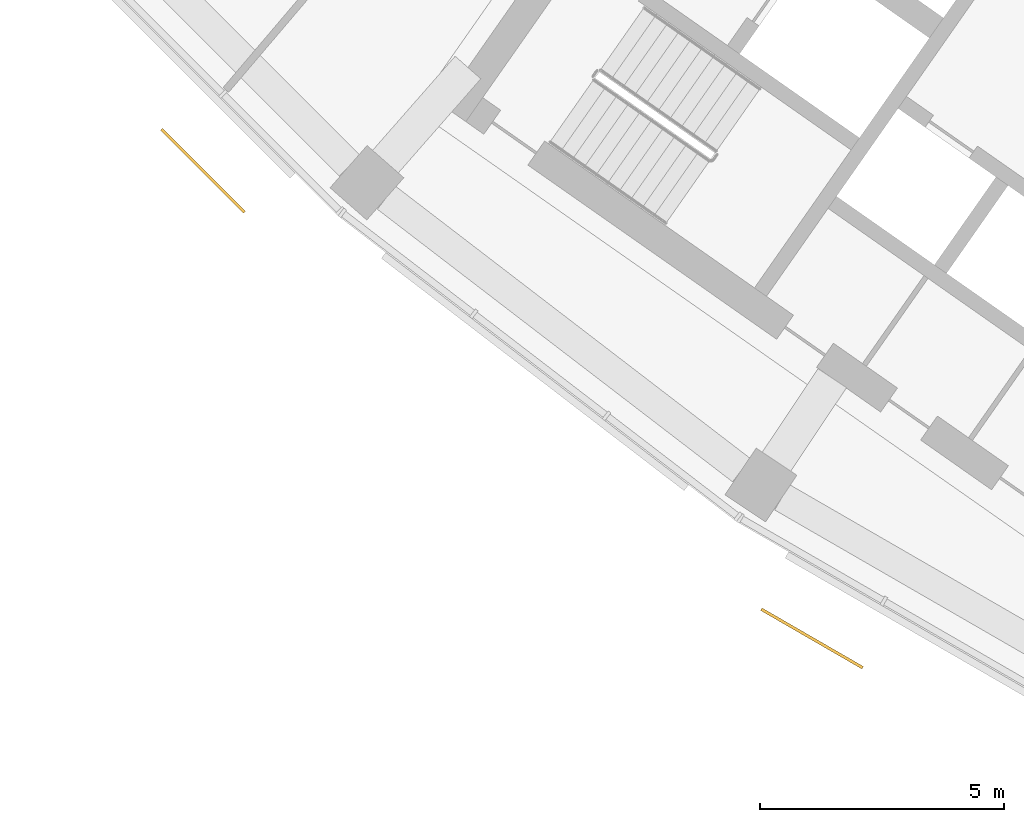
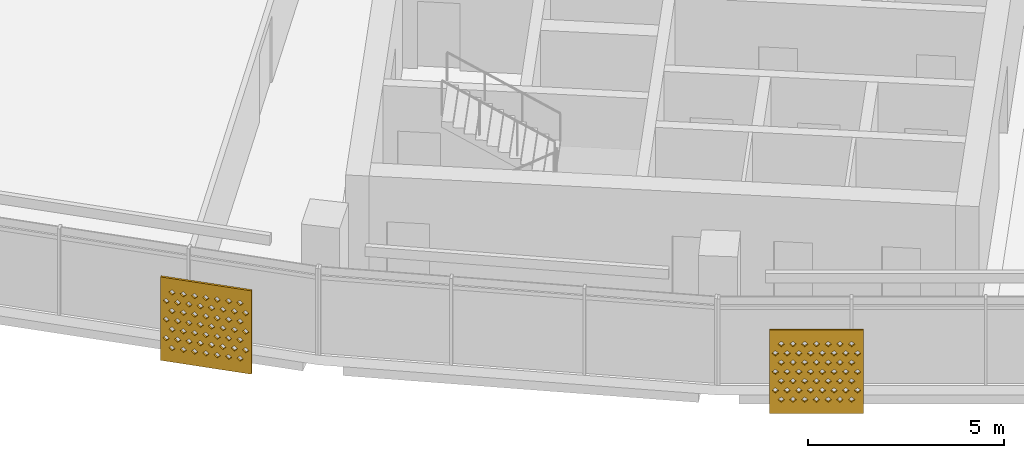
# One storey, part 22 of 28: 2 shading devices.
"""IFC4 building model written with IfcOpenShell, lengths in metres."""

import ifcopenshell
import ifcopenshell.guid

model = None  # the IFC model being written
_history = None  # IfcOwnerHistory: only IFC2X3 demands one
_inside = {}  # id of a spatial element -> (the spatial element, [elements in it])
_under = {}  # id of a project, library or spatial element -> (it, [spatial elements below it])
_declared = {}  # id of a project -> (the project, [libraries it declares])
_typed = {}  # id of a type object -> (the type object, [elements of that type])
_made_of = {}  # id of a material, layer set ... -> (it, [elements and type objects made of it])


def new_model(schema):
    """Start an empty IFC model of exactly this schema.

    Asked for "IFC4X3", IfcOpenShell would pick the latest addendum, in which some entities
    have other attributes; the version numbers below select the first issue.
    IFC2X3 requires an IfcOwnerHistory on every rooted entity: one is made here for all.
    """
    global model, _history
    if schema == "IFC4X3":
        model = ifcopenshell.file(schema_version=(4, 3, 0, 0))
    else:
        model = ifcopenshell.file(schema=schema)
    _inside.clear()
    _under.clear()
    _declared.clear()
    _typed.clear()
    _made_of.clear()
    _history = None
    if model.schema == "IFC2X3":
        org = make("IfcOrganization", Name="unknown")
        user = make(
            "IfcPersonAndOrganization",
            ThePerson=make("IfcPerson", FamilyName="unknown"),
            TheOrganization=org,
        )
        app = make(
            "IfcApplication",
            ApplicationDeveloper=org,
            Version="unknown",
            ApplicationFullName="unknown",
            ApplicationIdentifier="unknown",
        )
        _history = make(
            "IfcOwnerHistory",
            OwningUser=user,
            OwningApplication=app,
            ChangeAction="ADDED",
            CreationDate=0,
        )
    return model


def make(cls, **values):
    """One entity of the class cls with the attributes given. An attribute that is None is left unset."""
    return model.create_entity(
        cls, **{name: value for name, value in values.items() if value is not None}
    )


def rooted(cls, **values):
    """An entity with a GlobalId (a new one), such as an element, a storey or a relation."""
    return make(cls, GlobalId=ifcopenshell.guid.new(), OwnerHistory=_history, **values)


def si_unit(unit_type, name, prefix=None):
    """IfcSIUnit, for example si_unit("LENGTHUNIT", "METRE", prefix="MILLI")."""
    return make("IfcSIUnit", UnitType=unit_type, Prefix=prefix, Name=name)


def assignment(units):
    """IfcUnitAssignment: the units of a project."""
    return None if units is None else make("IfcUnitAssignment", Units=units)


def point(xyz):
    """IfcCartesianPoint."""
    return None if xyz is None else make("IfcCartesianPoint", Coordinates=xyz)


def direction(xyz):
    """IfcDirection."""
    return None if xyz is None else make("IfcDirection", DirectionRatios=xyz)


def frame(location, z_axis=None, x_axis=None):
    """IfcAxis2Placement3D, a coordinate frame: its origin and axes. An axis left out is left unset."""
    return make(
        "IfcAxis2Placement3D",
        Location=point(location),
        Axis=direction(z_axis),
        RefDirection=direction(x_axis),
    )


def origin():
    """The frame at (0, 0, 0) with its axes left unset."""
    return frame((0.0, 0.0, 0.0))


def place(relative_to, where):
    """IfcLocalPlacement: puts the frame where relative to a parent placement (None: the world)."""
    return make(
        "IfcLocalPlacement", PlacementRelTo=relative_to, RelativePlacement=where
    )


def context(
    kind, dimensions, precision=None, world=None, true_north=None, identifier=None
):
    """IfcGeometricRepresentationContext, for example the 3D "Model" context."""
    return make(
        "IfcGeometricRepresentationContext",
        ContextIdentifier=identifier,
        ContextType=kind,
        CoordinateSpaceDimension=dimensions,
        Precision=precision,
        WorldCoordinateSystem=world,
        TrueNorth=true_north,
    )


def subcontext(parent, identifier, kind, view, scale=None):
    """IfcGeometricRepresentationSubContext, for example "Body" below "Model"."""
    return make(
        "IfcGeometricRepresentationSubContext",
        ContextIdentifier=identifier,
        ContextType=kind,
        ParentContext=parent,
        TargetScale=scale,
        TargetView=view,
    )


def project(units=None, contexts=None):
    """IfcProject with its units and contexts."""
    return rooted(
        "IfcProject",
        Name="project",
        RepresentationContexts=contexts,
        UnitsInContext=assignment(units),
    )


def spatial(cls, under=None, at=None, **own):
    """A site, building, storey or space (cls), placed at a placement, below another one or the project."""
    s = rooted(cls, ObjectPlacement=at, **own)
    if under is not None:
        _under.setdefault(under.id(), (under, []))[1].append(s)
    return s


def polyline(points):
    """IfcPolyline through the points."""
    return make("IfcPolyline", Points=[point(p) for p in points])


def outline(outer, holes=None, kind="AREA"):
    """IfcArbitraryClosedProfileDef: a profile drawn as a closed curve; with holes, ...WithVoids."""
    if holes is None:
        return make("IfcArbitraryClosedProfileDef", ProfileType=kind, OuterCurve=outer)
    return make(
        "IfcArbitraryProfileDefWithVoids",
        ProfileType=kind,
        OuterCurve=outer,
        InnerCurves=holes,
    )


def extrude(swept, where, along, depth):
    """IfcExtrudedAreaSolid: the profile swept, set in the frame where, extruded along a direction by depth."""
    return make(
        "IfcExtrudedAreaSolid",
        SweptArea=swept,
        Position=where,
        ExtrudedDirection=direction(along),
        Depth=depth,
    )


def shape(context_of_items, identifier, shape_type, items):
    """IfcShapeRepresentation: the items that make up one representation, for example the "Body"."""
    return make(
        "IfcShapeRepresentation",
        ContextOfItems=context_of_items,
        RepresentationIdentifier=identifier,
        RepresentationType=shape_type,
        Items=items,
    )


def material(Name=None, Category=None):
    """IfcMaterial."""
    return make("IfcMaterial", Name=Name, Category=Category)


def material_profile(
    of_material, cross_section, Name=None, Category=None, Priority=None
):
    """IfcMaterialProfile: a cross section and its material."""
    return make(
        "IfcMaterialProfile",
        Name=Name,
        Material=of_material,
        Profile=cross_section,
        Priority=Priority,
        Category=Category,
    )


def profile_set(profiles, Name=None, composite=None):
    """IfcMaterialProfileSet."""
    return make(
        "IfcMaterialProfileSet",
        Name=Name,
        MaterialProfiles=profiles,
        CompositeProfile=composite,
    )


def made_of(thing, what):
    """Note that an element or type object is made of a material, layer set ...; save() writes the relation."""
    if what is not None:
        _made_of.setdefault(what.id(), (what, []))[1].append(thing)
    return thing


def type_object(cls, material=None, **own):
    """A type object (cls), such as IfcWallType, which elements share."""
    return made_of(rooted(cls, **own), material)


def element(
    cls,
    number,
    at=None,
    inside=None,
    cuts=None,
    type_object=None,
    material=None,
    context=None,
    identifier="Body",
    shape_type=None,
    held_by="IfcProductDefinitionShape",
    body=None,
    shapes=None,
    **own,
):
    """One element of the class cls, such as IfcWall. Its Tag is "e" and its number.

    at: its placement. inside: the storey or other place that contains it. cuts: it is an
    opening in that element (IfcRelVoidsElement). A single representation is given by context,
    identifier, shape_type and body (its items); several are given by shapes. held_by: the class
    of the entity that holds the representations. save() writes the other relations.
    """
    e = rooted(cls, Tag="e%d" % number, ObjectPlacement=at, **own)
    if body is not None:
        shapes = [shape(context, identifier, shape_type, body)]
    if shapes is not None:
        e.Representation = make(held_by, Representations=shapes)
    if inside is not None:
        _inside.setdefault(inside.id(), (inside, []))[1].append(e)
    if cuts is not None:
        rooted(
            "IfcRelVoidsElement", RelatingBuildingElement=cuts, RelatedOpeningElement=e
        )
    if type_object is not None:
        _typed.setdefault(type_object.id(), (type_object, []))[1].append(e)
    return made_of(e, material)


def aggregate(whole, parts):
    """IfcRelAggregates: a whole, such as a stair, and the parts it consists of."""
    return rooted("IfcRelAggregates", RelatingObject=whole, RelatedObjects=parts)


def save(model, path):
    """Write the relations noted so far, then the file.

    IfcRelAggregates (storeys below a building ...), IfcRelContainedInSpatialStructure (elements
    in a storey), IfcRelDefinesByType, IfcRelAssociatesMaterial and IfcRelDeclares: one each for
    every whole, place, type object, material and project.
    """
    for whole, parts in _under.values():
        aggregate(whole, parts)
    for where, things in _inside.values():
        rooted(
            "IfcRelContainedInSpatialStructure",
            RelatedElements=things,
            RelatingStructure=where,
        )
    for kind, things in _typed.values():
        rooted("IfcRelDefinesByType", RelatedObjects=things, RelatingType=kind)
    for what, things in _made_of.values():
        rooted("IfcRelAssociatesMaterial", RelatedObjects=things, RelatingMaterial=what)
    for by, libraries in _declared.values():
        rooted("IfcRelDeclares", RelatingContext=by, RelatedDefinitions=libraries)
    model.write(path)


model = new_model("IFC4")

# Units and contexts
model_context = context("Model", 3, precision=1e-05, world=origin(), true_north=direction((0.0, 1.0)))
body_context = subcontext(model_context, "Body", "Model", "MODEL_VIEW")
ifc_project = project(units=[si_unit("LENGTHUNIT", "METRE"), si_unit("AREAUNIT", "SQUARE_METRE"), si_unit("VOLUMEUNIT", "CUBIC_METRE"), si_unit("PLANEANGLEUNIT", "RADIAN"), si_unit("MASSUNIT", "GRAM", prefix="KILO")], contexts=[model_context])

# Site, building, storey
site_placement = place(None, origin())
site = spatial("IfcSite", under=ifc_project, at=site_placement, CompositionType="ELEMENT")
building_placement = place(site_placement, origin())
building = spatial("IfcBuilding", under=site, at=building_placement, Name="Qamariyya Broadcast Tower", CompositionType="ELEMENT")
storey_placement = place(building_placement, frame((0.0, 0.0, 245.5)))
storey = spatial("IfcBuildingStorey", under=building, at=storey_placement, Name="L59", CompositionType="ELEMENT", Elevation=245.5)

# Shading devices
ifc_material = material(Name="Perforated glazed terracotta", Category="masonry")
ifc_material_profile = material_profile(ifc_material, outline(polyline([(-1.199951171875, -1.300048828125), (1.199951171875, -1.300048828125), (1.199951171875, 1.300048828125), (-1.199951171875, 1.300048828125), (-1.199951171875, -1.300048828125)]), holes=[polyline([(-0.81494140625, -0.86669921875), (-0.89990234375, -0.78173828125), (-0.985107421875, -0.86669921875), (-0.89990234375, -0.95166015625), (-0.81494140625, -0.86669921875)]), polyline([(-0.514892578125, -0.86669921875), (-0.60009765625, -0.78173828125), (-0.68505859375, -0.86669921875), (-0.60009765625, -0.95166015625), (-0.514892578125, -0.86669921875)]), polyline([(-0.215087890625, -0.86669921875), (-0.300048828125, -0.78173828125), (-0.385009765625, -0.86669921875), (-0.300048828125, -0.95166015625), (-0.215087890625, -0.86669921875)]), polyline([(0.0849609375, -0.86669921875), (0.0, -0.78173828125), (-0.0849609375, -0.86669921875), (0.0, -0.95166015625), (0.0849609375, -0.86669921875)]), polyline([(0.385009765625, -0.86669921875), (0.300048828125, -0.78173828125), (0.215087890625, -0.86669921875), (0.300048828125, -0.95166015625), (0.385009765625, -0.86669921875)]), polyline([(0.68505859375, -0.86669921875), (0.60009765625, -0.78173828125), (0.514892578125, -0.86669921875), (0.60009765625, -0.95166015625), (0.68505859375, -0.86669921875)]), polyline([(0.985107421875, -0.86669921875), (0.89990234375, -0.78173828125), (0.81494140625, -0.86669921875), (0.89990234375, -0.95166015625), (0.985107421875, -0.86669921875)]), polyline([(-0.965087890625, -0.577880859375), (-1.050048828125, -0.49267578125), (-1.135009765625, -0.577880859375), (-1.050048828125, -0.662841796875), (-0.965087890625, -0.577880859375)]), polyline([(-0.6650390625, -0.577880859375), (-0.75, -0.49267578125), (-0.8349609375, -0.577880859375), (-0.75, -0.662841796875), (-0.6650390625, -0.577880859375)]), polyline([(-0.364990234375, -0.577880859375), (-0.449951171875, -0.49267578125), (-0.534912109375, -0.577880859375), (-0.449951171875, -0.662841796875), (-0.364990234375, -0.577880859375)]), polyline([(-0.06494140625, -0.577880859375), (-0.14990234375, -0.49267578125), (-0.235107421875, -0.577880859375), (-0.14990234375, -0.662841796875), (-0.06494140625, -0.577880859375)]), polyline([(0.235107421875, -0.577880859375), (0.14990234375, -0.49267578125), (0.06494140625, -0.577880859375), (0.14990234375, -0.662841796875), (0.235107421875, -0.577880859375)]), polyline([(0.534912109375, -0.577880859375), (0.449951171875, -0.49267578125), (0.364990234375, -0.577880859375), (0.449951171875, -0.662841796875), (0.534912109375, -0.577880859375)]), polyline([(0.8349609375, -0.577880859375), (0.75, -0.49267578125), (0.6650390625, -0.577880859375), (0.75, -0.662841796875), (0.8349609375, -0.577880859375)]), polyline([(1.135009765625, -0.577880859375), (1.050048828125, -0.49267578125), (0.965087890625, -0.577880859375), (1.050048828125, -0.662841796875), (1.135009765625, -0.577880859375)]), polyline([(-0.81494140625, -0.288818359375), (-0.89990234375, -0.203857421875), (-0.985107421875, -0.288818359375), (-0.89990234375, -0.373779296875), (-0.81494140625, -0.288818359375)]), polyline([(-0.514892578125, -0.288818359375), (-0.60009765625, -0.203857421875), (-0.68505859375, -0.288818359375), (-0.60009765625, -0.373779296875), (-0.514892578125, -0.288818359375)]), polyline([(-0.215087890625, -0.288818359375), (-0.300048828125, -0.203857421875), (-0.385009765625, -0.288818359375), (-0.300048828125, -0.373779296875), (-0.215087890625, -0.288818359375)]), polyline([(0.0849609375, -0.288818359375), (0.0, -0.203857421875), (-0.0849609375, -0.288818359375), (0.0, -0.373779296875), (0.0849609375, -0.288818359375)]), polyline([(0.385009765625, -0.288818359375), (0.300048828125, -0.203857421875), (0.215087890625, -0.288818359375), (0.300048828125, -0.373779296875), (0.385009765625, -0.288818359375)]), polyline([(0.68505859375, -0.288818359375), (0.60009765625, -0.203857421875), (0.514892578125, -0.288818359375), (0.60009765625, -0.373779296875), (0.68505859375, -0.288818359375)]), polyline([(0.985107421875, -0.288818359375), (0.89990234375, -0.203857421875), (0.81494140625, -0.288818359375), (0.89990234375, -0.373779296875), (0.985107421875, -0.288818359375)]), polyline([(-0.965087890625, 0.0), (-1.050048828125, 0.0849609375), (-1.135009765625, 0.0), (-1.050048828125, -0.0849609375), (-0.965087890625, 0.0)]), polyline([(-0.6650390625, 0.0), (-0.75, 0.0849609375), (-0.8349609375, 0.0), (-0.75, -0.0849609375), (-0.6650390625, 0.0)]), polyline([(-0.364990234375, 0.0), (-0.449951171875, 0.0849609375), (-0.534912109375, 0.0), (-0.449951171875, -0.0849609375), (-0.364990234375, 0.0)]), polyline([(-0.06494140625, 0.0), (-0.14990234375, 0.0849609375), (-0.235107421875, 0.0), (-0.14990234375, -0.0849609375), (-0.06494140625, 0.0)]), polyline([(0.235107421875, 0.0), (0.14990234375, 0.0849609375), (0.06494140625, 0.0), (0.14990234375, -0.0849609375), (0.235107421875, 0.0)]), polyline([(0.534912109375, 0.0), (0.449951171875, 0.0849609375), (0.364990234375, 0.0), (0.449951171875, -0.0849609375), (0.534912109375, 0.0)]), polyline([(0.8349609375, 0.0), (0.75, 0.0849609375), (0.6650390625, 0.0), (0.75, -0.0849609375), (0.8349609375, 0.0)]), polyline([(1.135009765625, 0.0), (1.050048828125, 0.0849609375), (0.965087890625, 0.0), (1.050048828125, -0.0849609375), (1.135009765625, 0.0)]), polyline([(-0.81494140625, 0.288818359375), (-0.89990234375, 0.373779296875), (-0.985107421875, 0.288818359375), (-0.89990234375, 0.203857421875), (-0.81494140625, 0.288818359375)]), polyline([(-0.514892578125, 0.288818359375), (-0.60009765625, 0.373779296875), (-0.68505859375, 0.288818359375), (-0.60009765625, 0.203857421875), (-0.514892578125, 0.288818359375)]), polyline([(-0.215087890625, 0.288818359375), (-0.300048828125, 0.373779296875), (-0.385009765625, 0.288818359375), (-0.300048828125, 0.203857421875), (-0.215087890625, 0.288818359375)]), polyline([(0.0849609375, 0.288818359375), (0.0, 0.373779296875), (-0.0849609375, 0.288818359375), (0.0, 0.203857421875), (0.0849609375, 0.288818359375)]), polyline([(0.385009765625, 0.288818359375), (0.300048828125, 0.373779296875), (0.215087890625, 0.288818359375), (0.300048828125, 0.203857421875), (0.385009765625, 0.288818359375)]), polyline([(0.68505859375, 0.288818359375), (0.60009765625, 0.373779296875), (0.514892578125, 0.288818359375), (0.60009765625, 0.203857421875), (0.68505859375, 0.288818359375)]), polyline([(0.985107421875, 0.288818359375), (0.89990234375, 0.373779296875), (0.81494140625, 0.288818359375), (0.89990234375, 0.203857421875), (0.985107421875, 0.288818359375)]), polyline([(-0.965087890625, 0.577880859375), (-1.050048828125, 0.662841796875), (-1.135009765625, 0.577880859375), (-1.050048828125, 0.49267578125), (-0.965087890625, 0.577880859375)]), polyline([(-0.6650390625, 0.577880859375), (-0.75, 0.662841796875), (-0.8349609375, 0.577880859375), (-0.75, 0.49267578125), (-0.6650390625, 0.577880859375)]), polyline([(-0.364990234375, 0.577880859375), (-0.449951171875, 0.662841796875), (-0.534912109375, 0.577880859375), (-0.449951171875, 0.49267578125), (-0.364990234375, 0.577880859375)]), polyline([(-0.06494140625, 0.577880859375), (-0.14990234375, 0.662841796875), (-0.235107421875, 0.577880859375), (-0.14990234375, 0.49267578125), (-0.06494140625, 0.577880859375)]), polyline([(0.235107421875, 0.577880859375), (0.14990234375, 0.662841796875), (0.06494140625, 0.577880859375), (0.14990234375, 0.49267578125), (0.235107421875, 0.577880859375)]), polyline([(0.534912109375, 0.577880859375), (0.449951171875, 0.662841796875), (0.364990234375, 0.577880859375), (0.449951171875, 0.49267578125), (0.534912109375, 0.577880859375)]), polyline([(0.8349609375, 0.577880859375), (0.75, 0.662841796875), (0.6650390625, 0.577880859375), (0.75, 0.49267578125), (0.8349609375, 0.577880859375)]), polyline([(1.135009765625, 0.577880859375), (1.050048828125, 0.662841796875), (0.965087890625, 0.577880859375), (1.050048828125, 0.49267578125), (1.135009765625, 0.577880859375)]), polyline([(-0.81494140625, 0.86669921875), (-0.89990234375, 0.95166015625), (-0.985107421875, 0.86669921875), (-0.89990234375, 0.78173828125), (-0.81494140625, 0.86669921875)]), polyline([(-0.514892578125, 0.86669921875), (-0.60009765625, 0.95166015625), (-0.68505859375, 0.86669921875), (-0.60009765625, 0.78173828125), (-0.514892578125, 0.86669921875)]), polyline([(-0.215087890625, 0.86669921875), (-0.300048828125, 0.95166015625), (-0.385009765625, 0.86669921875), (-0.300048828125, 0.78173828125), (-0.215087890625, 0.86669921875)]), polyline([(0.0849609375, 0.86669921875), (0.0, 0.95166015625), (-0.0849609375, 0.86669921875), (0.0, 0.78173828125), (0.0849609375, 0.86669921875)]), polyline([(0.385009765625, 0.86669921875), (0.300048828125, 0.95166015625), (0.215087890625, 0.86669921875), (0.300048828125, 0.78173828125), (0.385009765625, 0.86669921875)]), polyline([(0.68505859375, 0.86669921875), (0.60009765625, 0.95166015625), (0.514892578125, 0.86669921875), (0.60009765625, 0.78173828125), (0.68505859375, 0.86669921875)]), polyline([(0.985107421875, 0.86669921875), (0.89990234375, 0.95166015625), (0.81494140625, 0.86669921875), (0.89990234375, 0.78173828125), (0.985107421875, 0.86669921875)])]))
ifc_profile_set = profile_set([ifc_material_profile], Name="Perforated glazed terracotta")
shading_device_type = type_object("IfcShadingDeviceType", Name="Perforated terracotta screen 2400 x 2600", PredefinedType="USERDEFINED", material=ifc_profile_set)
shading_device_1_placement = place(storey_placement, frame((-54.599609375, -58.18603515625, 1.35009765625), z_axis=(-0.707106781187, -0.707106781187, 0.0), x_axis=(0.707106781187, -0.707106781187, 0.0)))
element("IfcShadingDevice", 1, at=shading_device_1_placement, inside=storey, type_object=shading_device_type, Name="e-scr-L59-02-2", ObjectType="SCREEN", PredefinedType="USERDEFINED", context=body_context, shape_type="SweptSolid", body=[
    extrude(outline(polyline([(-1.199951171875, -1.300048828125), (1.199951171875, -1.300048828125), (1.199951171875, 1.300048828125), (-1.199951171875, 1.300048828125), (-1.199951171875, -1.300048828125)]), holes=[polyline([(-0.81494140625, -0.86669921875), (-0.89990234375, -0.78173828125), (-0.985107421875, -0.86669921875), (-0.89990234375, -0.95166015625), (-0.81494140625, -0.86669921875)]), polyline([(-0.514892578125, -0.86669921875), (-0.60009765625, -0.78173828125), (-0.68505859375, -0.86669921875), (-0.60009765625, -0.95166015625), (-0.514892578125, -0.86669921875)]), polyline([(-0.215087890625, -0.86669921875), (-0.300048828125, -0.78173828125), (-0.385009765625, -0.86669921875), (-0.300048828125, -0.95166015625), (-0.215087890625, -0.86669921875)]), polyline([(0.0849609375, -0.86669921875), (0.0, -0.78173828125), (-0.0849609375, -0.86669921875), (0.0, -0.95166015625), (0.0849609375, -0.86669921875)]), polyline([(0.385009765625, -0.86669921875), (0.300048828125, -0.78173828125), (0.215087890625, -0.86669921875), (0.300048828125, -0.95166015625), (0.385009765625, -0.86669921875)]), polyline([(0.68505859375, -0.86669921875), (0.60009765625, -0.78173828125), (0.514892578125, -0.86669921875), (0.60009765625, -0.95166015625), (0.68505859375, -0.86669921875)]), polyline([(0.985107421875, -0.86669921875), (0.89990234375, -0.78173828125), (0.81494140625, -0.86669921875), (0.89990234375, -0.95166015625), (0.985107421875, -0.86669921875)]), polyline([(-0.965087890625, -0.577880859375), (-1.050048828125, -0.49267578125), (-1.135009765625, -0.577880859375), (-1.050048828125, -0.662841796875), (-0.965087890625, -0.577880859375)]), polyline([(-0.6650390625, -0.577880859375), (-0.75, -0.49267578125), (-0.8349609375, -0.577880859375), (-0.75, -0.662841796875), (-0.6650390625, -0.577880859375)]), polyline([(-0.364990234375, -0.577880859375), (-0.449951171875, -0.49267578125), (-0.534912109375, -0.577880859375), (-0.449951171875, -0.662841796875), (-0.364990234375, -0.577880859375)]), polyline([(-0.06494140625, -0.577880859375), (-0.14990234375, -0.49267578125), (-0.235107421875, -0.577880859375), (-0.14990234375, -0.662841796875), (-0.06494140625, -0.577880859375)]), polyline([(0.235107421875, -0.577880859375), (0.14990234375, -0.49267578125), (0.06494140625, -0.577880859375), (0.14990234375, -0.662841796875), (0.235107421875, -0.577880859375)]), polyline([(0.534912109375, -0.577880859375), (0.449951171875, -0.49267578125), (0.364990234375, -0.577880859375), (0.449951171875, -0.662841796875), (0.534912109375, -0.577880859375)]), polyline([(0.8349609375, -0.577880859375), (0.75, -0.49267578125), (0.6650390625, -0.577880859375), (0.75, -0.662841796875), (0.8349609375, -0.577880859375)]), polyline([(1.135009765625, -0.577880859375), (1.050048828125, -0.49267578125), (0.965087890625, -0.577880859375), (1.050048828125, -0.662841796875), (1.135009765625, -0.577880859375)]), polyline([(-0.81494140625, -0.288818359375), (-0.89990234375, -0.203857421875), (-0.985107421875, -0.288818359375), (-0.89990234375, -0.373779296875), (-0.81494140625, -0.288818359375)]), polyline([(-0.514892578125, -0.288818359375), (-0.60009765625, -0.203857421875), (-0.68505859375, -0.288818359375), (-0.60009765625, -0.373779296875), (-0.514892578125, -0.288818359375)]), polyline([(-0.215087890625, -0.288818359375), (-0.300048828125, -0.203857421875), (-0.385009765625, -0.288818359375), (-0.300048828125, -0.373779296875), (-0.215087890625, -0.288818359375)]), polyline([(0.0849609375, -0.288818359375), (0.0, -0.203857421875), (-0.0849609375, -0.288818359375), (0.0, -0.373779296875), (0.0849609375, -0.288818359375)]), polyline([(0.385009765625, -0.288818359375), (0.300048828125, -0.203857421875), (0.215087890625, -0.288818359375), (0.300048828125, -0.373779296875), (0.385009765625, -0.288818359375)]), polyline([(0.68505859375, -0.288818359375), (0.60009765625, -0.203857421875), (0.514892578125, -0.288818359375), (0.60009765625, -0.373779296875), (0.68505859375, -0.288818359375)]), polyline([(0.985107421875, -0.288818359375), (0.89990234375, -0.203857421875), (0.81494140625, -0.288818359375), (0.89990234375, -0.373779296875), (0.985107421875, -0.288818359375)]), polyline([(-0.965087890625, 0.0), (-1.050048828125, 0.0849609375), (-1.135009765625, 0.0), (-1.050048828125, -0.0849609375), (-0.965087890625, 0.0)]), polyline([(-0.6650390625, 0.0), (-0.75, 0.0849609375), (-0.8349609375, 0.0), (-0.75, -0.0849609375), (-0.6650390625, 0.0)]), polyline([(-0.364990234375, 0.0), (-0.449951171875, 0.0849609375), (-0.534912109375, 0.0), (-0.449951171875, -0.0849609375), (-0.364990234375, 0.0)]), polyline([(-0.06494140625, 0.0), (-0.14990234375, 0.0849609375), (-0.235107421875, 0.0), (-0.14990234375, -0.0849609375), (-0.06494140625, 0.0)]), polyline([(0.235107421875, 0.0), (0.14990234375, 0.0849609375), (0.06494140625, 0.0), (0.14990234375, -0.0849609375), (0.235107421875, 0.0)]), polyline([(0.534912109375, 0.0), (0.449951171875, 0.0849609375), (0.364990234375, 0.0), (0.449951171875, -0.0849609375), (0.534912109375, 0.0)]), polyline([(0.8349609375, 0.0), (0.75, 0.0849609375), (0.6650390625, 0.0), (0.75, -0.0849609375), (0.8349609375, 0.0)]), polyline([(1.135009765625, 0.0), (1.050048828125, 0.0849609375), (0.965087890625, 0.0), (1.050048828125, -0.0849609375), (1.135009765625, 0.0)]), polyline([(-0.81494140625, 0.288818359375), (-0.89990234375, 0.373779296875), (-0.985107421875, 0.288818359375), (-0.89990234375, 0.203857421875), (-0.81494140625, 0.288818359375)]), polyline([(-0.514892578125, 0.288818359375), (-0.60009765625, 0.373779296875), (-0.68505859375, 0.288818359375), (-0.60009765625, 0.203857421875), (-0.514892578125, 0.288818359375)]), polyline([(-0.215087890625, 0.288818359375), (-0.300048828125, 0.373779296875), (-0.385009765625, 0.288818359375), (-0.300048828125, 0.203857421875), (-0.215087890625, 0.288818359375)]), polyline([(0.0849609375, 0.288818359375), (0.0, 0.373779296875), (-0.0849609375, 0.288818359375), (0.0, 0.203857421875), (0.0849609375, 0.288818359375)]), polyline([(0.385009765625, 0.288818359375), (0.300048828125, 0.373779296875), (0.215087890625, 0.288818359375), (0.300048828125, 0.203857421875), (0.385009765625, 0.288818359375)]), polyline([(0.68505859375, 0.288818359375), (0.60009765625, 0.373779296875), (0.514892578125, 0.288818359375), (0.60009765625, 0.203857421875), (0.68505859375, 0.288818359375)]), polyline([(0.985107421875, 0.288818359375), (0.89990234375, 0.373779296875), (0.81494140625, 0.288818359375), (0.89990234375, 0.203857421875), (0.985107421875, 0.288818359375)]), polyline([(-0.965087890625, 0.577880859375), (-1.050048828125, 0.662841796875), (-1.135009765625, 0.577880859375), (-1.050048828125, 0.49267578125), (-0.965087890625, 0.577880859375)]), polyline([(-0.6650390625, 0.577880859375), (-0.75, 0.662841796875), (-0.8349609375, 0.577880859375), (-0.75, 0.49267578125), (-0.6650390625, 0.577880859375)]), polyline([(-0.364990234375, 0.577880859375), (-0.449951171875, 0.662841796875), (-0.534912109375, 0.577880859375), (-0.449951171875, 0.49267578125), (-0.364990234375, 0.577880859375)]), polyline([(-0.06494140625, 0.577880859375), (-0.14990234375, 0.662841796875), (-0.235107421875, 0.577880859375), (-0.14990234375, 0.49267578125), (-0.06494140625, 0.577880859375)]), polyline([(0.235107421875, 0.577880859375), (0.14990234375, 0.662841796875), (0.06494140625, 0.577880859375), (0.14990234375, 0.49267578125), (0.235107421875, 0.577880859375)]), polyline([(0.534912109375, 0.577880859375), (0.449951171875, 0.662841796875), (0.364990234375, 0.577880859375), (0.449951171875, 0.49267578125), (0.534912109375, 0.577880859375)]), polyline([(0.8349609375, 0.577880859375), (0.75, 0.662841796875), (0.6650390625, 0.577880859375), (0.75, 0.49267578125), (0.8349609375, 0.577880859375)]), polyline([(1.135009765625, 0.577880859375), (1.050048828125, 0.662841796875), (0.965087890625, 0.577880859375), (1.050048828125, 0.49267578125), (1.135009765625, 0.577880859375)]), polyline([(-0.81494140625, 0.86669921875), (-0.89990234375, 0.95166015625), (-0.985107421875, 0.86669921875), (-0.89990234375, 0.78173828125), (-0.81494140625, 0.86669921875)]), polyline([(-0.514892578125, 0.86669921875), (-0.60009765625, 0.95166015625), (-0.68505859375, 0.86669921875), (-0.60009765625, 0.78173828125), (-0.514892578125, 0.86669921875)]), polyline([(-0.215087890625, 0.86669921875), (-0.300048828125, 0.95166015625), (-0.385009765625, 0.86669921875), (-0.300048828125, 0.78173828125), (-0.215087890625, 0.86669921875)]), polyline([(0.0849609375, 0.86669921875), (0.0, 0.95166015625), (-0.0849609375, 0.86669921875), (0.0, 0.78173828125), (0.0849609375, 0.86669921875)]), polyline([(0.385009765625, 0.86669921875), (0.300048828125, 0.95166015625), (0.215087890625, 0.86669921875), (0.300048828125, 0.78173828125), (0.385009765625, 0.86669921875)]), polyline([(0.68505859375, 0.86669921875), (0.60009765625, 0.95166015625), (0.514892578125, 0.86669921875), (0.60009765625, 0.78173828125), (0.68505859375, 0.86669921875)]), polyline([(0.985107421875, 0.86669921875), (0.89990234375, 0.95166015625), (0.81494140625, 0.86669921875), (0.89990234375, 0.78173828125), (0.985107421875, 0.86669921875)])]), origin(), (0.0, 0.0, 1.0), 0.06005859375),
])
shading_device_2_placement = place(storey_placement, frame((-42.13427734375, -67.762939453125, 1.35009765625), z_axis=(-0.500074377092, -0.865982457891, 0.0), x_axis=(0.865982457891, -0.500074377092, 0.0)))
element("IfcShadingDevice", 2, at=shading_device_2_placement, inside=storey, type_object=shading_device_type, Name="e-scr-L59-04-0", ObjectType="SCREEN", PredefinedType="USERDEFINED", context=body_context, shape_type="SweptSolid", body=[
    extrude(outline(polyline([(-1.199951171875, -1.300048828125), (1.199951171875, -1.300048828125), (1.199951171875, 1.300048828125), (-1.199951171875, 1.300048828125), (-1.199951171875, -1.300048828125)]), holes=[polyline([(-0.81494140625, -0.86669921875), (-0.89990234375, -0.78173828125), (-0.985107421875, -0.86669921875), (-0.89990234375, -0.95166015625), (-0.81494140625, -0.86669921875)]), polyline([(-0.514892578125, -0.86669921875), (-0.60009765625, -0.78173828125), (-0.68505859375, -0.86669921875), (-0.60009765625, -0.95166015625), (-0.514892578125, -0.86669921875)]), polyline([(-0.215087890625, -0.86669921875), (-0.300048828125, -0.78173828125), (-0.385009765625, -0.86669921875), (-0.300048828125, -0.95166015625), (-0.215087890625, -0.86669921875)]), polyline([(0.0849609375, -0.86669921875), (0.0, -0.78173828125), (-0.0849609375, -0.86669921875), (0.0, -0.95166015625), (0.0849609375, -0.86669921875)]), polyline([(0.385009765625, -0.86669921875), (0.300048828125, -0.78173828125), (0.215087890625, -0.86669921875), (0.300048828125, -0.95166015625), (0.385009765625, -0.86669921875)]), polyline([(0.68505859375, -0.86669921875), (0.60009765625, -0.78173828125), (0.514892578125, -0.86669921875), (0.60009765625, -0.95166015625), (0.68505859375, -0.86669921875)]), polyline([(0.985107421875, -0.86669921875), (0.89990234375, -0.78173828125), (0.81494140625, -0.86669921875), (0.89990234375, -0.95166015625), (0.985107421875, -0.86669921875)]), polyline([(-0.965087890625, -0.577880859375), (-1.050048828125, -0.49267578125), (-1.135009765625, -0.577880859375), (-1.050048828125, -0.662841796875), (-0.965087890625, -0.577880859375)]), polyline([(-0.6650390625, -0.577880859375), (-0.75, -0.49267578125), (-0.8349609375, -0.577880859375), (-0.75, -0.662841796875), (-0.6650390625, -0.577880859375)]), polyline([(-0.364990234375, -0.577880859375), (-0.449951171875, -0.49267578125), (-0.534912109375, -0.577880859375), (-0.449951171875, -0.662841796875), (-0.364990234375, -0.577880859375)]), polyline([(-0.06494140625, -0.577880859375), (-0.14990234375, -0.49267578125), (-0.235107421875, -0.577880859375), (-0.14990234375, -0.662841796875), (-0.06494140625, -0.577880859375)]), polyline([(0.235107421875, -0.577880859375), (0.14990234375, -0.49267578125), (0.06494140625, -0.577880859375), (0.14990234375, -0.662841796875), (0.235107421875, -0.577880859375)]), polyline([(0.534912109375, -0.577880859375), (0.449951171875, -0.49267578125), (0.364990234375, -0.577880859375), (0.449951171875, -0.662841796875), (0.534912109375, -0.577880859375)]), polyline([(0.8349609375, -0.577880859375), (0.75, -0.49267578125), (0.6650390625, -0.577880859375), (0.75, -0.662841796875), (0.8349609375, -0.577880859375)]), polyline([(1.135009765625, -0.577880859375), (1.050048828125, -0.49267578125), (0.965087890625, -0.577880859375), (1.050048828125, -0.662841796875), (1.135009765625, -0.577880859375)]), polyline([(-0.81494140625, -0.288818359375), (-0.89990234375, -0.203857421875), (-0.985107421875, -0.288818359375), (-0.89990234375, -0.373779296875), (-0.81494140625, -0.288818359375)]), polyline([(-0.514892578125, -0.288818359375), (-0.60009765625, -0.203857421875), (-0.68505859375, -0.288818359375), (-0.60009765625, -0.373779296875), (-0.514892578125, -0.288818359375)]), polyline([(-0.215087890625, -0.288818359375), (-0.300048828125, -0.203857421875), (-0.385009765625, -0.288818359375), (-0.300048828125, -0.373779296875), (-0.215087890625, -0.288818359375)]), polyline([(0.0849609375, -0.288818359375), (0.0, -0.203857421875), (-0.0849609375, -0.288818359375), (0.0, -0.373779296875), (0.0849609375, -0.288818359375)]), polyline([(0.385009765625, -0.288818359375), (0.300048828125, -0.203857421875), (0.215087890625, -0.288818359375), (0.300048828125, -0.373779296875), (0.385009765625, -0.288818359375)]), polyline([(0.68505859375, -0.288818359375), (0.60009765625, -0.203857421875), (0.514892578125, -0.288818359375), (0.60009765625, -0.373779296875), (0.68505859375, -0.288818359375)]), polyline([(0.985107421875, -0.288818359375), (0.89990234375, -0.203857421875), (0.81494140625, -0.288818359375), (0.89990234375, -0.373779296875), (0.985107421875, -0.288818359375)]), polyline([(-0.965087890625, 0.0), (-1.050048828125, 0.0849609375), (-1.135009765625, 0.0), (-1.050048828125, -0.0849609375), (-0.965087890625, 0.0)]), polyline([(-0.6650390625, 0.0), (-0.75, 0.0849609375), (-0.8349609375, 0.0), (-0.75, -0.0849609375), (-0.6650390625, 0.0)]), polyline([(-0.364990234375, 0.0), (-0.449951171875, 0.0849609375), (-0.534912109375, 0.0), (-0.449951171875, -0.0849609375), (-0.364990234375, 0.0)]), polyline([(-0.06494140625, 0.0), (-0.14990234375, 0.0849609375), (-0.235107421875, 0.0), (-0.14990234375, -0.0849609375), (-0.06494140625, 0.0)]), polyline([(0.235107421875, 0.0), (0.14990234375, 0.0849609375), (0.06494140625, 0.0), (0.14990234375, -0.0849609375), (0.235107421875, 0.0)]), polyline([(0.534912109375, 0.0), (0.449951171875, 0.0849609375), (0.364990234375, 0.0), (0.449951171875, -0.0849609375), (0.534912109375, 0.0)]), polyline([(0.8349609375, 0.0), (0.75, 0.0849609375), (0.6650390625, 0.0), (0.75, -0.0849609375), (0.8349609375, 0.0)]), polyline([(1.135009765625, 0.0), (1.050048828125, 0.0849609375), (0.965087890625, 0.0), (1.050048828125, -0.0849609375), (1.135009765625, 0.0)]), polyline([(-0.81494140625, 0.288818359375), (-0.89990234375, 0.373779296875), (-0.985107421875, 0.288818359375), (-0.89990234375, 0.203857421875), (-0.81494140625, 0.288818359375)]), polyline([(-0.514892578125, 0.288818359375), (-0.60009765625, 0.373779296875), (-0.68505859375, 0.288818359375), (-0.60009765625, 0.203857421875), (-0.514892578125, 0.288818359375)]), polyline([(-0.215087890625, 0.288818359375), (-0.300048828125, 0.373779296875), (-0.385009765625, 0.288818359375), (-0.300048828125, 0.203857421875), (-0.215087890625, 0.288818359375)]), polyline([(0.0849609375, 0.288818359375), (0.0, 0.373779296875), (-0.0849609375, 0.288818359375), (0.0, 0.203857421875), (0.0849609375, 0.288818359375)]), polyline([(0.385009765625, 0.288818359375), (0.300048828125, 0.373779296875), (0.215087890625, 0.288818359375), (0.300048828125, 0.203857421875), (0.385009765625, 0.288818359375)]), polyline([(0.68505859375, 0.288818359375), (0.60009765625, 0.373779296875), (0.514892578125, 0.288818359375), (0.60009765625, 0.203857421875), (0.68505859375, 0.288818359375)]), polyline([(0.985107421875, 0.288818359375), (0.89990234375, 0.373779296875), (0.81494140625, 0.288818359375), (0.89990234375, 0.203857421875), (0.985107421875, 0.288818359375)]), polyline([(-0.965087890625, 0.577880859375), (-1.050048828125, 0.662841796875), (-1.135009765625, 0.577880859375), (-1.050048828125, 0.49267578125), (-0.965087890625, 0.577880859375)]), polyline([(-0.6650390625, 0.577880859375), (-0.75, 0.662841796875), (-0.8349609375, 0.577880859375), (-0.75, 0.49267578125), (-0.6650390625, 0.577880859375)]), polyline([(-0.364990234375, 0.577880859375), (-0.449951171875, 0.662841796875), (-0.534912109375, 0.577880859375), (-0.449951171875, 0.49267578125), (-0.364990234375, 0.577880859375)]), polyline([(-0.06494140625, 0.577880859375), (-0.14990234375, 0.662841796875), (-0.235107421875, 0.577880859375), (-0.14990234375, 0.49267578125), (-0.06494140625, 0.577880859375)]), polyline([(0.235107421875, 0.577880859375), (0.14990234375, 0.662841796875), (0.06494140625, 0.577880859375), (0.14990234375, 0.49267578125), (0.235107421875, 0.577880859375)]), polyline([(0.534912109375, 0.577880859375), (0.449951171875, 0.662841796875), (0.364990234375, 0.577880859375), (0.449951171875, 0.49267578125), (0.534912109375, 0.577880859375)]), polyline([(0.8349609375, 0.577880859375), (0.75, 0.662841796875), (0.6650390625, 0.577880859375), (0.75, 0.49267578125), (0.8349609375, 0.577880859375)]), polyline([(1.135009765625, 0.577880859375), (1.050048828125, 0.662841796875), (0.965087890625, 0.577880859375), (1.050048828125, 0.49267578125), (1.135009765625, 0.577880859375)]), polyline([(-0.81494140625, 0.86669921875), (-0.89990234375, 0.95166015625), (-0.985107421875, 0.86669921875), (-0.89990234375, 0.78173828125), (-0.81494140625, 0.86669921875)]), polyline([(-0.514892578125, 0.86669921875), (-0.60009765625, 0.95166015625), (-0.68505859375, 0.86669921875), (-0.60009765625, 0.78173828125), (-0.514892578125, 0.86669921875)]), polyline([(-0.215087890625, 0.86669921875), (-0.300048828125, 0.95166015625), (-0.385009765625, 0.86669921875), (-0.300048828125, 0.78173828125), (-0.215087890625, 0.86669921875)]), polyline([(0.0849609375, 0.86669921875), (0.0, 0.95166015625), (-0.0849609375, 0.86669921875), (0.0, 0.78173828125), (0.0849609375, 0.86669921875)]), polyline([(0.385009765625, 0.86669921875), (0.300048828125, 0.95166015625), (0.215087890625, 0.86669921875), (0.300048828125, 0.78173828125), (0.385009765625, 0.86669921875)]), polyline([(0.68505859375, 0.86669921875), (0.60009765625, 0.95166015625), (0.514892578125, 0.86669921875), (0.60009765625, 0.78173828125), (0.68505859375, 0.86669921875)]), polyline([(0.985107421875, 0.86669921875), (0.89990234375, 0.95166015625), (0.81494140625, 0.86669921875), (0.89990234375, 0.78173828125), (0.985107421875, 0.86669921875)])]), origin(), (0.0, 0.0, 1.0), 0.06005859375),
])

save(model, "model.ifc")
